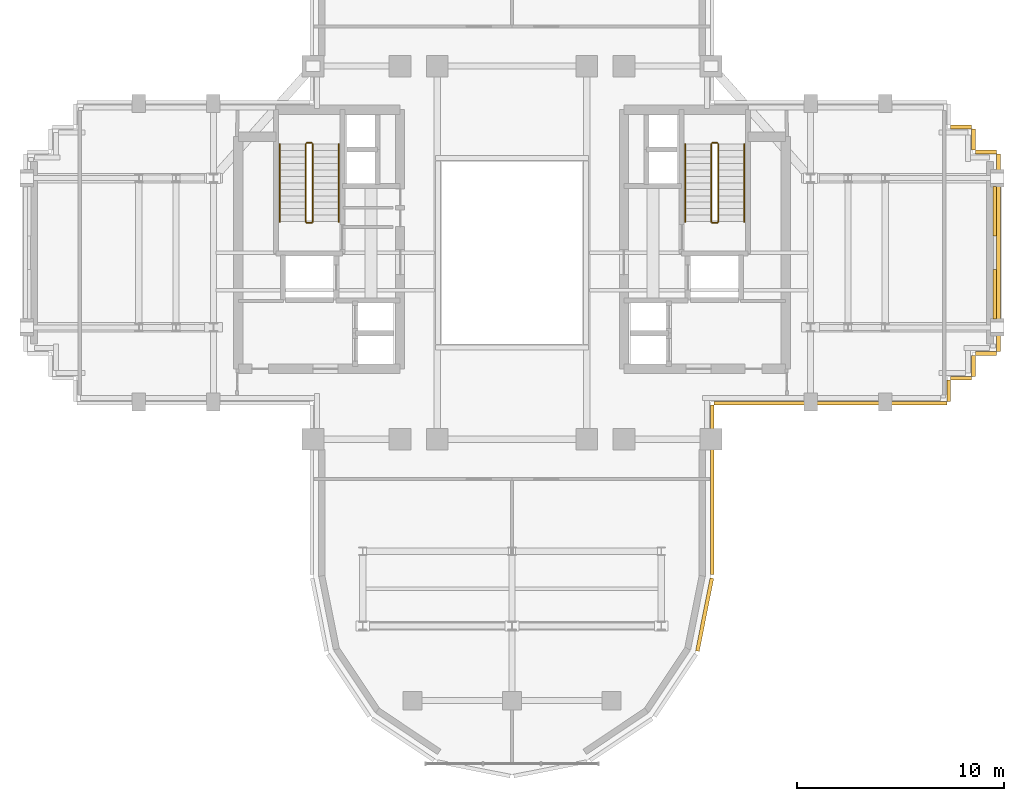
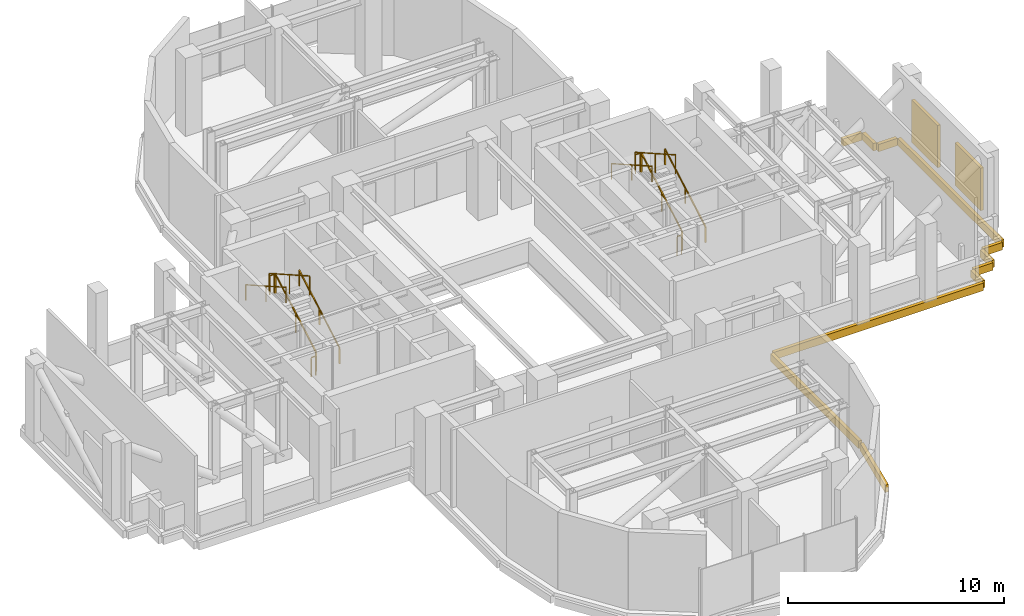
# One storey, part 10 of 11: 12 railings, 11 coverings, 2 shading devices.
"""IFC4 building model written with IfcOpenShell, lengths in metres."""

from ifc_helpers import new_model, si_unit, direction, frame, origin, origin_2d, place, context, subcontext, project, spatial, rectangle, extrude, source, transform, mapped, material, layer, layer_set, type_object, element, save


model = new_model("IFC4")

# Units and contexts
model_context = context("Model", 3, precision=1e-05, world=origin(), true_north=direction((0.0, 1.0)))
body_context = subcontext(model_context, "Body", "Model", "MODEL_VIEW")
ifc_project = project(units=[si_unit("LENGTHUNIT", "METRE"), si_unit("AREAUNIT", "SQUARE_METRE"), si_unit("VOLUMEUNIT", "CUBIC_METRE"), si_unit("PLANEANGLEUNIT", "RADIAN"), si_unit("MASSUNIT", "GRAM", prefix="KILO")], contexts=[model_context])

# Site, building, storey
site_placement = place(None, origin())
site = spatial("IfcSite", under=ifc_project, at=site_placement, CompositionType="ELEMENT")
building_placement = place(site_placement, origin())
building = spatial("IfcBuilding", under=site, at=building_placement, Name="Keilestroom Media Tower", CompositionType="ELEMENT")
storey_placement = place(building_placement, frame((0.0, 0.0, 151.60009765625)))
storey = spatial("IfcBuildingStorey", under=building, at=storey_placement, Name="L41", CompositionType="ELEMENT", Elevation=151.60009765625)

# Railings
ifc_material_1 = material(Name="Brushed Stainless Steel 1.4301", Category="steel")
railing_type_1 = type_object("IfcRailingType", Name="Stair-Pitch-Handrail-920", PredefinedType="HANDRAIL", material=ifc_material_1)
railing_1_placement = place(storey_placement, frame((-8.35009765625, 1.5, 0.1767578125)))
element("IfcRailing", 1, at=railing_1_placement, inside=storey, type_object=railing_type_1, Name="L41 ST-1 stair handrail 1", PredefinedType="HANDRAIL", context=body_context, shape_type="SweptSolid", body=[
    extrude(rectangle(XDim=0.048095703125, YDim=0.048095703125, at=origin_2d()), frame((0.0, 0.0, 0.8759765625), z_axis=(0.0, 0.869872104396, 0.493277327671), x_axis=(-1.0, 0.0, 0.0)), (0.0, 0.0, 1.0), 4.303955078125),
    extrude(rectangle(XDim=0.0419921875, YDim=0.0419921875, at=origin_2d()), origin(), (0.0, 0.0, 1.0), 0.84375),
    extrude(rectangle(XDim=0.0419921875, YDim=0.0419921875, at=origin_2d()), frame((0.0, 1.8720703125, 1.0615234375)), (0.0, 0.0, 1.0), 0.84375),
    extrude(rectangle(XDim=0.0419921875, YDim=0.0419921875, at=origin_2d()), frame((0.0, 3.743896484375, 2.123046875)), (0.0, 0.0, 1.0), 0.84375),
])
railing_2_placement = place(storey_placement, frame((-11.2099609375, 5.243896484375, 2.476806640625)))
element("IfcRailing", 2, at=railing_2_placement, inside=storey, type_object=railing_type_1, Name="L41 ST-1 stair handrail 2", PredefinedType="HANDRAIL", context=body_context, shape_type="SweptSolid", body=[
    extrude(rectangle(XDim=0.048095703125, YDim=0.048095703125, at=origin_2d()), frame((0.0, 0.0, 0.8759765625), z_axis=(0.0, -0.869872104396, 0.493277327671), x_axis=(1.0, 0.0, 0.0)), (0.0, 0.0, 1.0), 4.303955078125),
    extrude(rectangle(XDim=0.0419921875, YDim=0.0419921875, at=origin_2d()), origin(), (0.0, 0.0, 1.0), 0.84375),
    extrude(rectangle(XDim=0.0419921875, YDim=0.0419921875, at=origin_2d()), frame((0.0, -1.8720703125, 1.0615234375)), (0.0, 0.0, 1.0), 0.84375),
    extrude(rectangle(XDim=0.0419921875, YDim=0.0419921875, at=origin_2d()), frame((0.0, -3.743896484375, 2.123046875)), (0.0, 0.0, 1.0), 0.84375),
])
railing_3_placement = place(storey_placement, frame((11.2099609375, 1.5, 0.1767578125)))
element("IfcRailing", 3, at=railing_3_placement, inside=storey, type_object=railing_type_1, Name="L41 ST-2 stair handrail 1", PredefinedType="HANDRAIL", context=body_context, shape_type="SweptSolid", body=[
    extrude(rectangle(XDim=0.048095703125, YDim=0.048095703125, at=origin_2d()), frame((0.0, 0.0, 0.8759765625), z_axis=(0.0, 0.869872104396, 0.493277327671), x_axis=(-1.0, 0.0, 0.0)), (0.0, 0.0, 1.0), 4.303955078125),
    extrude(rectangle(XDim=0.0419921875, YDim=0.0419921875, at=origin_2d()), origin(), (0.0, 0.0, 1.0), 0.84375),
    extrude(rectangle(XDim=0.0419921875, YDim=0.0419921875, at=origin_2d()), frame((0.0, 1.8720703125, 1.0615234375)), (0.0, 0.0, 1.0), 0.84375),
    extrude(rectangle(XDim=0.0419921875, YDim=0.0419921875, at=origin_2d()), frame((0.0, 3.743896484375, 2.123046875)), (0.0, 0.0, 1.0), 0.84375),
])
railing_4_placement = place(storey_placement, frame((8.35009765625, 5.243896484375, 2.476806640625)))
element("IfcRailing", 4, at=railing_4_placement, inside=storey, type_object=railing_type_1, Name="L41 ST-2 stair handrail 2", PredefinedType="HANDRAIL", context=body_context, shape_type="SweptSolid", body=[
    extrude(rectangle(XDim=0.048095703125, YDim=0.048095703125, at=origin_2d()), frame((0.0, 0.0, 0.8759765625), z_axis=(0.0, -0.869872104396, 0.493277327671), x_axis=(1.0, 0.0, 0.0)), (0.0, 0.0, 1.0), 4.303955078125),
    extrude(rectangle(XDim=0.0419921875, YDim=0.0419921875, at=origin_2d()), origin(), (0.0, 0.0, 1.0), 0.84375),
    extrude(rectangle(XDim=0.0419921875, YDim=0.0419921875, at=origin_2d()), frame((0.0, -1.8720703125, 1.0615234375)), (0.0, 0.0, 1.0), 0.84375),
    extrude(rectangle(XDim=0.0419921875, YDim=0.0419921875, at=origin_2d()), frame((0.0, -3.743896484375, 2.123046875)), (0.0, 0.0, 1.0), 0.84375),
])
ifc_material_2 = material(Name="Painted Steel Balustrade", Category="steel")
railing_type_2 = type_object("IfcRailingType", Name="Stair-Well-And-Landing-Guard-1100", PredefinedType="GUARDRAIL", material=ifc_material_2)
railing_5_placement = place(storey_placement, frame((-9.610107421875, 1.5, 0.1767578125)))
element("IfcRailing", 5, at=railing_5_placement, inside=storey, type_object=railing_type_2, Name="L41 ST-1 stair guard 1", PredefinedType="GUARDRAIL", context=body_context, shape_type="SweptSolid", body=[
    extrude(rectangle(XDim=0.048095703125, YDim=0.048095703125, at=origin_2d()), frame((0.0, 0.0, 1.076171875), z_axis=(0.0, 0.869872104396, 0.493277327671), x_axis=(-1.0, 0.0, 0.0)), (0.0, 0.0, 1.0), 4.303955078125),
    extrude(rectangle(XDim=0.0419921875, YDim=0.0419921875, at=origin_2d()), origin(), (0.0, 0.0, 1.0), 1.0439453125),
    extrude(rectangle(XDim=0.0419921875, YDim=0.0419921875, at=origin_2d()), frame((0.0, 1.8720703125, 1.0615234375)), (0.0, 0.0, 1.0), 1.0439453125),
    extrude(rectangle(XDim=0.0419921875, YDim=0.0419921875, at=origin_2d()), frame((0.0, 3.743896484375, 2.123046875)), (0.0, 0.0, 1.0), 1.0439453125),
])
railing_6_placement = place(storey_placement, frame((-9.659912109375, 5.2939453125, 2.2998046875)))
element("IfcRailing", 6, at=railing_6_placement, inside=storey, type_object=railing_type_2, Name="L41 ST-1 stair guard 2", PredefinedType="GUARDRAIL", context=body_context, shape_type="SweptSolid", body=[
    extrude(rectangle(XDim=0.048095703125, YDim=0.048095703125, at=origin_2d()), frame((0.0, 0.0, 1.076171875), z_axis=(-1.0, 0.0, 0.0), x_axis=(0.0, -1.0, 0.0)), (0.0, 0.0, 1.0), 0.239990234375),
    extrude(rectangle(XDim=0.0419921875, YDim=0.0419921875, at=origin_2d()), origin(), (0.0, 0.0, 1.0), 1.0439453125),
    extrude(rectangle(XDim=0.0419921875, YDim=0.0419921875, at=origin_2d()), frame((-0.239990234375, 0.0, 0.0)), (0.0, 0.0, 1.0), 1.0439453125),
])
railing_7_placement = place(storey_placement, frame((-9.949951171875, 5.243896484375, 2.476806640625)))
element("IfcRailing", 7, at=railing_7_placement, inside=storey, type_object=railing_type_2, Name="L41 ST-1 stair guard 3", PredefinedType="GUARDRAIL", context=body_context, shape_type="SweptSolid", body=[
    extrude(rectangle(XDim=0.048095703125, YDim=0.048095703125, at=origin_2d()), frame((0.0, 0.0, 1.076171875), z_axis=(0.0, -0.869872104396, 0.493277327671), x_axis=(1.0, 0.0, 0.0)), (0.0, 0.0, 1.0), 4.303955078125),
    extrude(rectangle(XDim=0.0419921875, YDim=0.0419921875, at=origin_2d()), origin(), (0.0, 0.0, 1.0), 1.0439453125),
    extrude(rectangle(XDim=0.0419921875, YDim=0.0419921875, at=origin_2d()), frame((0.0, -1.8720703125, 1.0615234375)), (0.0, 0.0, 1.0), 1.0439453125),
    extrude(rectangle(XDim=0.0419921875, YDim=0.0419921875, at=origin_2d()), frame((0.0, -3.743896484375, 2.123046875)), (0.0, 0.0, 1.0), 1.0439453125),
])
railing_8_placement = place(storey_placement, frame((-9.659912109375, 1.449951171875, 0.0)))
element("IfcRailing", 8, at=railing_8_placement, inside=storey, type_object=railing_type_2, Name="L41 ST-1 stair guard 4", PredefinedType="GUARDRAIL", context=body_context, shape_type="SweptSolid", body=[
    extrude(rectangle(XDim=0.048095703125, YDim=0.048095703125, at=origin_2d()), frame((0.0, 0.0, 1.076171875), z_axis=(-1.0, 0.0, 0.0), x_axis=(0.0, -1.0, 0.0)), (0.0, 0.0, 1.0), 0.239990234375),
    extrude(rectangle(XDim=0.0419921875, YDim=0.0419921875, at=origin_2d()), origin(), (0.0, 0.0, 1.0), 1.0439453125),
    extrude(rectangle(XDim=0.0419921875, YDim=0.0419921875, at=origin_2d()), frame((-0.239990234375, 0.0, 0.0)), (0.0, 0.0, 1.0), 1.0439453125),
])
railing_9_placement = place(storey_placement, frame((9.949951171875, 1.5, 0.1767578125)))
element("IfcRailing", 9, at=railing_9_placement, inside=storey, type_object=railing_type_2, Name="L41 ST-2 stair guard 1", PredefinedType="GUARDRAIL", context=body_context, shape_type="SweptSolid", body=[
    extrude(rectangle(XDim=0.048095703125, YDim=0.048095703125, at=origin_2d()), frame((0.0, 0.0, 1.076171875), z_axis=(0.0, 0.869872104396, 0.493277327671), x_axis=(-1.0, 0.0, 0.0)), (0.0, 0.0, 1.0), 4.303955078125),
    extrude(rectangle(XDim=0.0419921875, YDim=0.0419921875, at=origin_2d()), origin(), (0.0, 0.0, 1.0), 1.0439453125),
    extrude(rectangle(XDim=0.0419921875, YDim=0.0419921875, at=origin_2d()), frame((0.0, 1.8720703125, 1.0615234375)), (0.0, 0.0, 1.0), 1.0439453125),
    extrude(rectangle(XDim=0.0419921875, YDim=0.0419921875, at=origin_2d()), frame((0.0, 3.743896484375, 2.123046875)), (0.0, 0.0, 1.0), 1.0439453125),
])
railing_10_placement = place(storey_placement, frame((9.89990234375, 5.2939453125, 2.2998046875)))
element("IfcRailing", 10, at=railing_10_placement, inside=storey, type_object=railing_type_2, Name="L41 ST-2 stair guard 2", PredefinedType="GUARDRAIL", context=body_context, shape_type="SweptSolid", body=[
    extrude(rectangle(XDim=0.048095703125, YDim=0.048095703125, at=origin_2d()), frame((0.0, 0.0, 1.076171875), z_axis=(-1.0, 0.0, 0.0), x_axis=(0.0, -1.0, 0.0)), (0.0, 0.0, 1.0), 0.239990234375),
    extrude(rectangle(XDim=0.0419921875, YDim=0.0419921875, at=origin_2d()), origin(), (0.0, 0.0, 1.0), 1.0439453125),
    extrude(rectangle(XDim=0.0419921875, YDim=0.0419921875, at=origin_2d()), frame((-0.239990234375, 0.0, 0.0)), (0.0, 0.0, 1.0), 1.0439453125),
])
railing_11_placement = place(storey_placement, frame((9.610107421875, 5.243896484375, 2.476806640625)))
element("IfcRailing", 11, at=railing_11_placement, inside=storey, type_object=railing_type_2, Name="L41 ST-2 stair guard 3", PredefinedType="GUARDRAIL", context=body_context, shape_type="SweptSolid", body=[
    extrude(rectangle(XDim=0.048095703125, YDim=0.048095703125, at=origin_2d()), frame((0.0, 0.0, 1.076171875), z_axis=(0.0, -0.869872104396, 0.493277327671), x_axis=(1.0, 0.0, 0.0)), (0.0, 0.0, 1.0), 4.303955078125),
    extrude(rectangle(XDim=0.0419921875, YDim=0.0419921875, at=origin_2d()), origin(), (0.0, 0.0, 1.0), 1.0439453125),
    extrude(rectangle(XDim=0.0419921875, YDim=0.0419921875, at=origin_2d()), frame((0.0, -1.8720703125, 1.0615234375)), (0.0, 0.0, 1.0), 1.0439453125),
    extrude(rectangle(XDim=0.0419921875, YDim=0.0419921875, at=origin_2d()), frame((0.0, -3.743896484375, 2.123046875)), (0.0, 0.0, 1.0), 1.0439453125),
])
railing_12_placement = place(storey_placement, frame((9.89990234375, 1.449951171875, 0.0)))
element("IfcRailing", 12, at=railing_12_placement, inside=storey, type_object=railing_type_2, Name="L41 ST-2 stair guard 4", PredefinedType="GUARDRAIL", context=body_context, shape_type="SweptSolid", body=[
    extrude(rectangle(XDim=0.048095703125, YDim=0.048095703125, at=origin_2d()), frame((0.0, 0.0, 1.076171875), z_axis=(-1.0, 0.0, 0.0), x_axis=(0.0, -1.0, 0.0)), (0.0, 0.0, 1.0), 0.239990234375),
    extrude(rectangle(XDim=0.0419921875, YDim=0.0419921875, at=origin_2d()), origin(), (0.0, 0.0, 1.0), 1.0439453125),
    extrude(rectangle(XDim=0.0419921875, YDim=0.0419921875, at=origin_2d()), frame((-0.239990234375, 0.0, 0.0)), (0.0, 0.0, 1.0), 1.0439453125),
])

# Shading devices
ifc_material_3 = material(Name="Bronze Anodised Aluminium", Category="aluminium")
ifc_layer_1 = layer(ifc_material_3, 0.159912109375)
ifc_layer_set_1 = layer_set([ifc_layer_1], Name="Bronze Anodised Aluminium")
shading_device_type = type_object("IfcShadingDeviceType", Name="Facade-Plant-Intake-Louvre-SHD-2", PredefinedType="USERDEFINED", material=ifc_layer_set_1)
shared_shape_1 = source(origin(), body_context, "Body", "SweptSolid", [
    extrude(rectangle(XDim=0.159912109375, YDim=2.39990234375, at=origin_2d()), origin(), (0.0, 0.0, 1.0), 2.39990234375),
])
for number, where, z_axis, x_axis, name in (
    (13, (23.2900390625, -2.0, 0.599853515625), (0.0, 0.0, 1.0), (1.0, 0.0, 0.0), "L41 Plant Intake Louvre E 11"),
    (14, (23.2900390625, 2.0, 0.599853515625), (0.0, 0.0, 1.0), (1.0, 0.0, 0.0), "L41 Plant Intake Louvre E 12"),
):
    element("IfcShadingDevice", number, at=place(storey_placement, frame(where, z_axis=z_axis, x_axis=x_axis)), inside=storey, type_object=shading_device_type, Name=name, ObjectType="LOUVER", PredefinedType="USERDEFINED", context=body_context, shape_type="MappedRepresentation", body=[
        mapped(shared_shape_1, transform((0.0, 0.0, 0.0), x_axis=(1.0, 0.0, 0.0), y_axis=(0.0, 1.0, 0.0), z_axis=(0.0, 0.0, 1.0), scale=1.0)),
    ])

# Coverings
ifc_material_4 = material(Name="Precast concrete C40/50", Category="concrete")
ifc_layer_2 = layer(ifc_material_4, 0.1201171875)
ifc_layer_set_2 = layer_set([ifc_layer_2], Name="Precast concrete C40/50")
covering_type = type_object("IfcCoveringType", Name="Exterior-Precast-Spandrel-Cladding-Panel-120", PredefinedType="CLADDING", material=ifc_layer_set_2)
shared_shape_2 = source(origin(), body_context, "Body", "SweptSolid", [
    extrude(rectangle(XDim=1.02001953125, YDim=0.179931640625, at=origin_2d()), origin(), (0.0, 0.0, 1.0), 0.419921875),
])
for number, where, z_axis, x_axis, name in (
    (15, (22.860107421875, -4.860107421875, -0.60009765625), (0.0, 0.0, 1.0), (-1.0, 0.0, 0.0), "L41 Precast Slab-Edge Fascia Cornice 01"),
    (16, (22.260009765625, -5.4599609375, -0.60009765625), (0.0, 0.0, 1.0), (0.0, -1.0, 0.0), "L41 Precast Slab-Edge Fascia Cornice 02"),
    (17, (21.659912109375, -6.06005859375, -0.60009765625), (0.0, 0.0, 1.0), (-1.0, 0.0, 0.0), "L41 Precast Slab-Edge Fascia Cornice 03"),
    (18, (21.06005859375, -6.659912109375, -0.60009765625), (0.0, 0.0, 1.0), (0.0, -1.0, 0.0), "L41 Precast Slab-Edge Fascia Cornice 04"),
    (19, (21.659912109375, 6.06005859375, -0.60009765625), (0.0, 0.0, 1.0), (1.0, 0.0, 0.0), "L41 Precast Slab-Edge Fascia Cornice 39"),
    (20, (22.260009765625, 5.4599609375, -0.60009765625), (0.0, 0.0, 1.0), (0.0, -1.0, 0.0), "L41 Precast Slab-Edge Fascia Cornice 40"),
    (21, (22.860107421875, 4.860107421875, -0.60009765625), (0.0, 0.0, 1.0), (1.0, 0.0, 0.0), "L41 Precast Slab-Edge Fascia Cornice 41"),
):
    element("IfcCovering", number, at=place(storey_placement, frame(where, z_axis=z_axis, x_axis=x_axis)), inside=storey, type_object=covering_type, Name=name, PredefinedType="CLADDING", context=body_context, shape_type="MappedRepresentation", body=[
        mapped(shared_shape_2, transform((0.0, 0.0, 0.0), x_axis=(1.0, 0.0, 0.0), y_axis=(0.0, 1.0, 0.0), z_axis=(0.0, 0.0, 1.0), scale=1.0)),
    ])
shared_shape_3 = source(origin(), body_context, "Body", "SweptSolid", [
    extrude(rectangle(XDim=8.166015625, YDim=0.179931640625, at=origin_2d()), origin(), (0.0, 0.0, 1.0), 0.419921875),
])
covering_1_placement = place(storey_placement, frame((9.659912109375, -11.43310546875, -0.60009765625), z_axis=(0.0, 0.0, 1.0), x_axis=(0.0, -1.0, 0.0)))
element("IfcCovering", 22, at=covering_1_placement, inside=storey, type_object=covering_type, Name="L41 Precast Slab-Edge Fascia Cornice 06", PredefinedType="CLADDING", context=body_context, shape_type="MappedRepresentation", body=[
    mapped(shared_shape_3, transform((0.0, 0.0, 0.0), x_axis=(1.0, 0.0, 0.0), y_axis=(0.0, 1.0, 0.0), z_axis=(0.0, 0.0, 1.0), scale=1.0)),
])
shared_shape_4 = source(origin(), body_context, "Body", "SweptSolid", [
    extrude(rectangle(XDim=3.58349609375, YDim=0.179931640625, at=origin_2d()), origin(), (0.0, 0.0, 1.0), 0.419921875),
])
covering_2_placement = place(storey_placement, frame((9.29296875, -17.45166015625, -0.60009765625), z_axis=(0.0, 0.0, 1.0), x_axis=(-0.195098880975, -0.980783577882, 0.0)))
element("IfcCovering", 23, at=covering_2_placement, inside=storey, type_object=covering_type, Name="L41 Precast Slab-Edge Fascia Cornice 07", PredefinedType="CLADDING", context=body_context, shape_type="MappedRepresentation", body=[
    mapped(shared_shape_4, transform((0.0, 0.0, 0.0), x_axis=(1.0, 0.0, 0.0), y_axis=(0.0, 1.0, 0.0), z_axis=(0.0, 0.0, 1.0), scale=1.0)),
])
shared_shape_5 = source(origin(), body_context, "Body", "SweptSolid", [
    extrude(rectangle(XDim=9.5400390625, YDim=0.179931640625, at=origin_2d()), origin(), (0.0, 0.0, 1.0), 0.419921875),
])
covering_3_placement = place(storey_placement, frame((23.4599609375, 0.0, -0.60009765625), z_axis=(0.0, 0.0, 1.0), x_axis=(0.0, -1.0, 0.0)))
element("IfcCovering", 24, at=covering_3_placement, inside=storey, type_object=covering_type, Name="L41 Precast Slab-Edge Fascia Cornice 42", PredefinedType="CLADDING", context=body_context, shape_type="MappedRepresentation", body=[
    mapped(shared_shape_5, transform((0.0, 0.0, 0.0), x_axis=(1.0, 0.0, 0.0), y_axis=(0.0, 1.0, 0.0), z_axis=(0.0, 0.0, 1.0), scale=1.0)),
])
shared_shape_6 = source(origin(), body_context, "Body", "SweptSolid", [
    extrude(rectangle(XDim=11.219970703125, YDim=0.179931640625, at=origin_2d()), origin(), (0.0, 0.0, 1.0), 0.419921875),
])
covering_4_placement = place(storey_placement, frame((15.360107421875, -7.260009765625, -0.60009765625), z_axis=(0.0, 0.0, 1.0), x_axis=(-1.0, 0.0, 0.0)))
element("IfcCovering", 25, at=covering_4_placement, inside=storey, type_object=covering_type, Name="L41 Precast Slab-Edge Fascia Cornice 05", PredefinedType="CLADDING", context=body_context, shape_type="MappedRepresentation", body=[
    mapped(shared_shape_6, transform((0.0, 0.0, 0.0), x_axis=(1.0, 0.0, 0.0), y_axis=(0.0, 1.0, 0.0), z_axis=(0.0, 0.0, 1.0), scale=1.0)),
])

save(model, "model.ifc")
